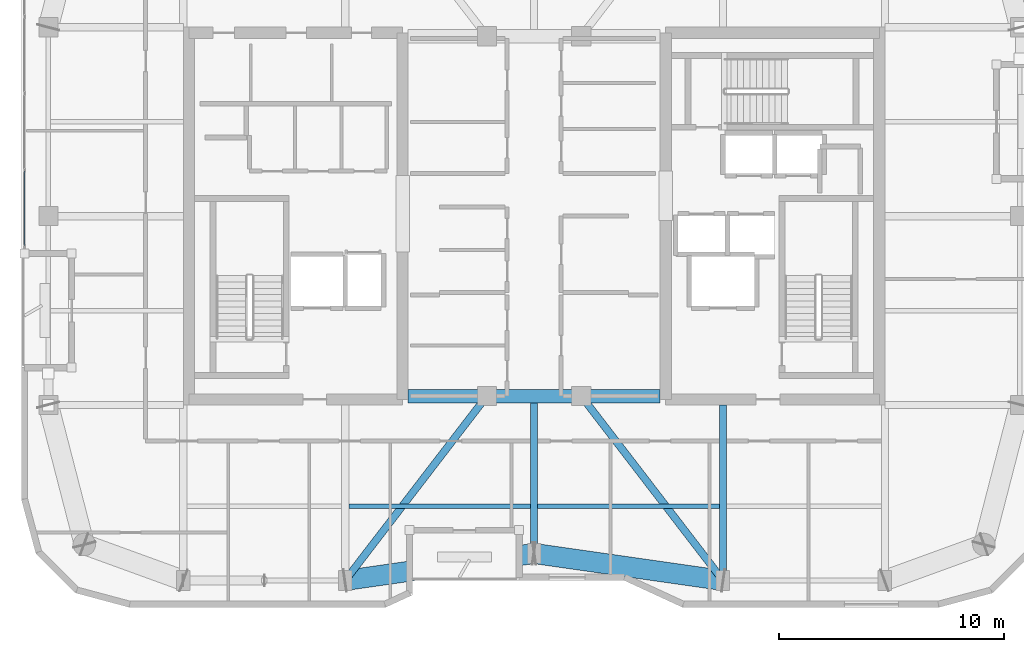
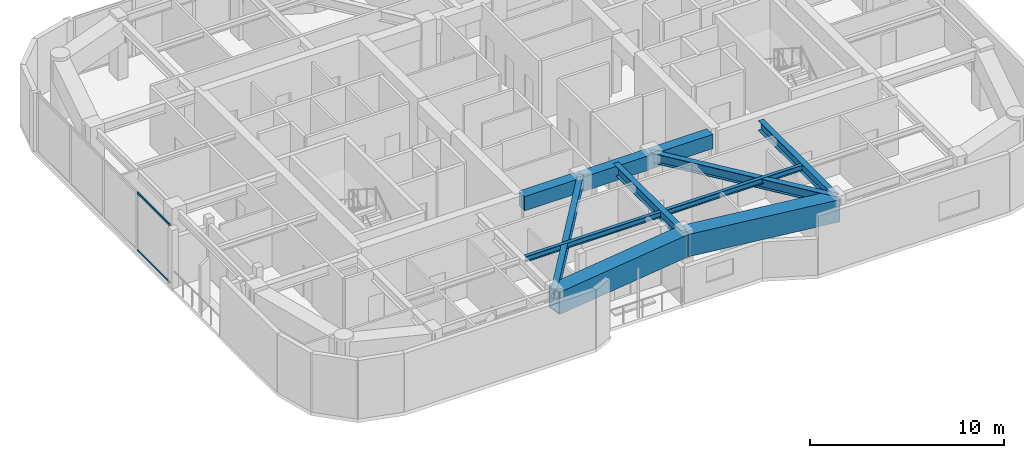
# One storey, part 3 of 16: 11 beams, 2 members, 1 element without a shape of its own.
"""IFC4 building model written with IfcOpenShell, lengths in metres."""

from ifc_helpers import new_model, si_unit, direction, frame, origin, origin_2d, place, context, subcontext, project, spatial, rectangle, hollow_rectangle, i_section, extrude, material, layer, layer_set, material_profile, profile_set, type_object, element, aggregate, save


model = new_model("IFC4")

# Units and contexts
model_context = context("Model", 3, precision=1e-05, world=origin(), true_north=direction((0.0, 1.0)))
body_context = subcontext(model_context, "Body", "Model", "MODEL_VIEW")
ifc_project = project(units=[si_unit("LENGTHUNIT", "METRE"), si_unit("AREAUNIT", "SQUARE_METRE"), si_unit("VOLUMEUNIT", "CUBIC_METRE"), si_unit("PLANEANGLEUNIT", "RADIAN"), si_unit("MASSUNIT", "GRAM", prefix="KILO")], contexts=[model_context])

# Site, building, storey
site_placement = place(None, origin())
site = spatial("IfcSite", under=ifc_project, at=site_placement, CompositionType="ELEMENT")
building_placement = place(site_placement, origin())
building = spatial("IfcBuilding", under=site, at=building_placement, Name="Kiyonajd Concourse Tower", CompositionType="ELEMENT")
storey_placement = place(building_placement, frame((0.0, 0.0, 302.39990234375)))
storey = spatial("IfcBuildingStorey", under=building, at=storey_placement, Name="L76", CompositionType="ELEMENT", Elevation=302.39990234375)

# Beams
ifc_material_1 = material(Name="Concrete C60/75", Category="concrete")
ifc_material_profile_1 = material_profile(ifc_material_1, rectangle(XDim=0.60009765625, YDim=0.89990234375, at=origin_2d()), Name="RCBM-600x900")
ifc_profile_set_1 = profile_set([ifc_material_profile_1], Name="Concrete C60/75")
beam_type_1 = type_object("IfcBeamType", Name="BM-COUP-900", PredefinedType="LINTEL", material=ifc_profile_set_1)
beam_1_placement = place(storey_placement, frame((42.39990234375, 28.0, 3.22998046875), z_axis=(1.0, 0.0, 0.0), x_axis=(0.0, 1.0, 0.0)))
element("IfcBeam", 1, at=beam_1_placement, inside=storey, type_object=beam_type_1, Name="L76 Core Coupling Beam S1", PredefinedType="LINTEL", context=body_context, shape_type="SweptSolid", body=[
    extrude(rectangle(XDim=0.60009765625, YDim=0.89990234375, at=origin_2d()), origin(), (0.0, 0.0, 1.0), 3.5),
])
beam_2_placement = place(storey_placement, frame((45.89990234375, 28.0, 3.22998046875), z_axis=(1.0, 0.0, 0.0), x_axis=(0.0, 1.0, 0.0)))
element("IfcBeam", 2, at=beam_2_placement, inside=storey, type_object=beam_type_1, Name="L76 Core Coupling Beam S2", PredefinedType="LINTEL", context=body_context, shape_type="SweptSolid", body=[
    extrude(rectangle(XDim=0.60009765625, YDim=0.89990234375, at=origin_2d()), origin(), (0.0, 0.0, 1.0), 4.2001953125),
])
beam_3_placement = place(storey_placement, frame((50.10009765625, 28.0, 3.22998046875), z_axis=(1.0, 0.0, 0.0), x_axis=(0.0, 1.0, 0.0)))
element("IfcBeam", 3, at=beam_3_placement, inside=storey, type_object=beam_type_1, Name="L76 Core Coupling Beam S3", PredefinedType="LINTEL", context=body_context, shape_type="SweptSolid", body=[
    extrude(rectangle(XDim=0.60009765625, YDim=0.89990234375, at=origin_2d()), origin(), (0.0, 0.0, 1.0), 3.5),
])
ifc_material_2 = material(Name="Steel ASTM A992 Grade 50", Category="steel")
ifc_material_profile_2 = material_profile(ifc_material_2, i_section(OverallWidth=0.205078125, OverallDepth=0.35400390625, WebThickness=0.009521484375, FlangeThickness=0.016845703125, at=origin_2d()), Name="W360X79")
ifc_profile_set_2 = profile_set([ifc_material_profile_2], Name="Steel ASTM A992 Grade 50")
beam_type_2 = type_object("IfcBeamType", Name="BM-JST-360", PredefinedType="JOIST", material=ifc_profile_set_2)
for number, where, z_axis, x_axis, name in (
    (4, (39.761962890625, 23.10009765625, 3.503173828125), (1.0, 0.0, 0.0), (0.0, 1.0, 0.0), "L76 Secondary Floor Joist"),
    (5, (48.162109375, 23.10009765625, 3.503173828125), (1.0, 0.0, 0.0), (0.0, 1.0, 0.0), "L76 Secondary Floor Joist"),
):
    element("IfcBeam", number, at=place(storey_placement, frame(where, z_axis=z_axis, x_axis=x_axis)), inside=storey, type_object=beam_type_2, Name=name, PredefinedType="JOIST", context=body_context, shape_type="SweptSolid", body=[
        extrude(i_section(OverallWidth=0.205078125, OverallDepth=0.35400390625, WebThickness=0.009521484375, FlangeThickness=0.016845703125, at=origin_2d()), origin(), (0.0, 0.0, 1.0), 8.075927734375),
    ])
ifc_material_profile_3 = material_profile(ifc_material_2, i_section(OverallWidth=0.326904296875, OverallDepth=0.6220703125, WebThickness=0.015380859375, FlangeThickness=0.0244140625, at=origin_2d()), Name="W610X195")
ifc_profile_set_3 = profile_set([ifc_material_profile_3], Name="Steel ASTM A992 Grade 50")
beam_type_3 = type_object("IfcBeamType", Name="BM-TWR-610A", PredefinedType="BEAM", material=ifc_profile_set_3)
for number, where, z_axis, x_axis, name in (
    (6, (39.60009765625, 19.800048828125, 3.369140625), (0.609233709922, 0.792990722956, 0.0), (-0.792990722956, 0.609233709922, 0.0), "L76 Core Tie Girder"),
    (7, (50.10009765625, 28.0, 3.369140625), (0.609233709922, -0.792990722956, 0.0), (0.792990722956, 0.609233709922, 0.0), "L76 Core Tie Girder"),
):
    element("IfcBeam", number, at=place(storey_placement, frame(where, z_axis=z_axis, x_axis=x_axis)), inside=storey, type_object=beam_type_3, Name=name, PredefinedType="BEAM", context=body_context, shape_type="SweptSolid", body=[
        extrude(i_section(OverallWidth=0.326904296875, OverallDepth=0.6220703125, WebThickness=0.015380859375, FlangeThickness=0.0244140625, at=origin_2d()), origin(), (0.0, 0.0, 1.0), 10.340576171875),
    ])
ifc_material_profile_4 = material_profile(ifc_material_2, i_section(OverallWidth=0.323974609375, OverallDepth=0.611083984375, WebThickness=0.0126953125, FlangeThickness=0.01904296875, at=origin_2d()), Name="W610X155")
ifc_profile_set_4 = profile_set([ifc_material_profile_4], Name="Steel ASTM A992 Grade 50")
beam_type_4 = type_object("IfcBeamType", Name="BM-TWR-610B", PredefinedType="BEAM", material=ifc_profile_set_4)
beam_4_placement = place(storey_placement, frame((56.39990234375, 19.800048828125, 3.37451171875), z_axis=(0.0, 1.0, 0.0), x_axis=(-1.0, 0.0, 0.0)))
element("IfcBeam", 8, at=beam_4_placement, inside=storey, type_object=beam_type_4, Name="L76 South Lease Girder", PredefinedType="BEAM", context=body_context, shape_type="SweptSolid", body=[
    extrude(i_section(OverallWidth=0.323974609375, OverallDepth=0.611083984375, WebThickness=0.0126953125, FlangeThickness=0.01904296875, at=origin_2d()), origin(), (0.0, 0.0, 1.0), 7.800048828125),
])
beam_5_placement = place(storey_placement, frame((48.0, 21.0, 3.37451171875), z_axis=(0.0, 1.0, 0.0), x_axis=(-1.0, 0.0, 0.0)))
element("IfcBeam", 9, at=beam_5_placement, inside=storey, type_object=beam_type_4, Name="L76 South Ribbon Girder", PredefinedType="BEAM", context=body_context, shape_type="SweptSolid", body=[
    extrude(i_section(OverallWidth=0.323974609375, OverallDepth=0.611083984375, WebThickness=0.0126953125, FlangeThickness=0.01904296875, at=origin_2d()), origin(), (0.0, 0.0, 1.0), 7.0),
])
ifc_material_3 = material(Name="Steel ASTM A572 Grade 50", Category="steel")
ifc_material_profile_5 = material_profile(ifc_material_3, hollow_rectangle(XDim=0.89990234375, YDim=1.39990234375, WallThickness=0.070068359375, at=origin_2d()), Name="BOX-1400x900x70")
ifc_profile_set_5 = profile_set([ifc_material_profile_5], Name="Steel ASTM A572 Grade 50")
beam_type_5 = type_object("IfcBeamType", Name="BM-XFER-1400", PredefinedType="BEAM", material=ifc_profile_set_5)
for number, where, z_axis, x_axis, name in (
    (10, (39.60009765625, 19.800048828125, 2.97998046875), (0.989950069105, 0.141417328072, 0.0), (-0.141417328072, 0.989950069105, 0.0), "L76 Perimeter Bundled Tube Spandrel"),
    (11, (48.0, 21.0, 2.97998046875), (0.989950069105, -0.141417328072, 0.0), (0.141417328072, 0.989950069105, 0.0), "L76 Perimeter Bundled Tube Spandrel"),
):
    element("IfcBeam", number, at=place(storey_placement, frame(where, z_axis=z_axis, x_axis=x_axis)), inside=storey, type_object=beam_type_5, Name=name, PredefinedType="BEAM", context=body_context, shape_type="SweptSolid", body=[
        extrude(hollow_rectangle(XDim=0.89990234375, YDim=1.39990234375, WallThickness=0.070068359375, at=origin_2d()), origin(), (0.0, 0.0, 1.0), 8.485107421875),
    ])

# Curtain wall, members
ifc_material_4 = material(Name="Thermally Broken Anodised Aluminium", Category="aluminium")
ifc_layer = layer(ifc_material_4, 0.179931640625)
ifc_layer_set = layer_set([ifc_layer], Name="Thermally Broken Anodised Aluminium")
curtain_wall_type = type_object("IfcCurtainWallType", Name="CW-SYS-04", PredefinedType="NOTDEFINED", material=ifc_layer_set)
curtain_wall_placement = place(storey_placement, origin())
curtain_wall = element("IfcCurtainWall", 12, at=curtain_wall_placement, inside=storey, type_object=curtain_wall_type, Name="L76 Unitised Curtain Wall CW4", PredefinedType="NOTDEFINED")
ifc_material_profile_6 = material_profile(ifc_material_4, hollow_rectangle(XDim=0.06494140625, YDim=0.139892578125, WallThickness=0.00390625, at=origin_2d()), Name="TRAN-65x140")
ifc_profile_set_6 = profile_set([ifc_material_profile_6], Name="Thermally Broken Anodised Aluminium")
member_type = type_object("IfcMemberType", Name="MB-CW-TRAN1", PredefinedType="USERDEFINED", material=ifc_profile_set_6)
member_1_placement = place(storey_placement, frame((25.340087890625, 34.695068359375, 0.03271484375), z_axis=(0.0, 1.0, 0.0), x_axis=(-1.0, 0.0, 0.0)))
member_1 = element("IfcMember", 13, at=member_1_placement, type_object=member_type, Name="CW4 transom 1.1", ObjectType="TRANSOM", PredefinedType="USERDEFINED", context=body_context, shape_type="SweptSolid", body=[
    extrude(hollow_rectangle(XDim=0.06494140625, YDim=0.139892578125, WallThickness=0.00390625, at=origin_2d()), origin(), (0.0, 0.0, 1.0), 3.31787109375),
])
member_2_placement = place(storey_placement, frame((25.340087890625, 34.695068359375, 3.647705078125), z_axis=(0.0, 1.0, 0.0), x_axis=(-1.0, 0.0, 0.0)))
member_2 = element("IfcMember", 14, at=member_2_placement, type_object=member_type, Name="CW4 transom 1.2", ObjectType="TRANSOM", PredefinedType="USERDEFINED", context=body_context, shape_type="SweptSolid", body=[
    extrude(hollow_rectangle(XDim=0.06494140625, YDim=0.139892578125, WallThickness=0.00390625, at=origin_2d()), origin(), (0.0, 0.0, 1.0), 3.31787109375),
])
aggregate(curtain_wall, [member_1, member_2])

save(model, "model.ifc")
